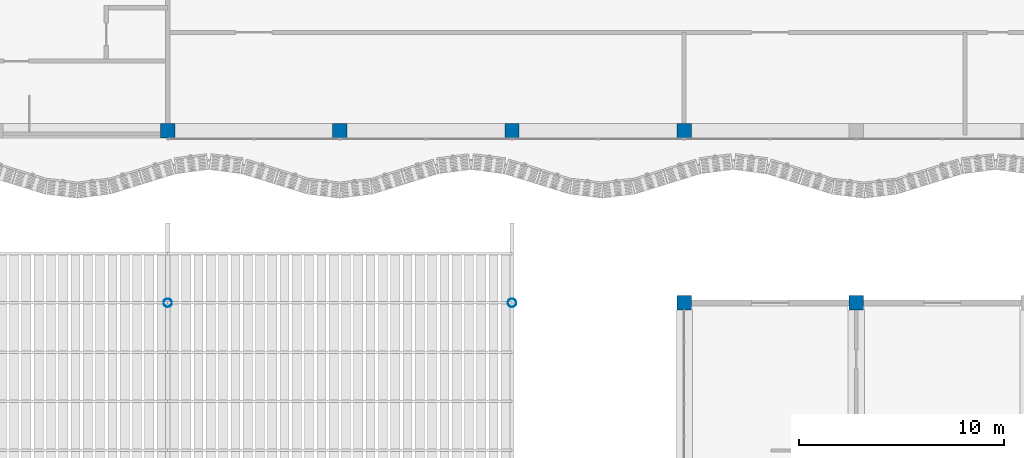
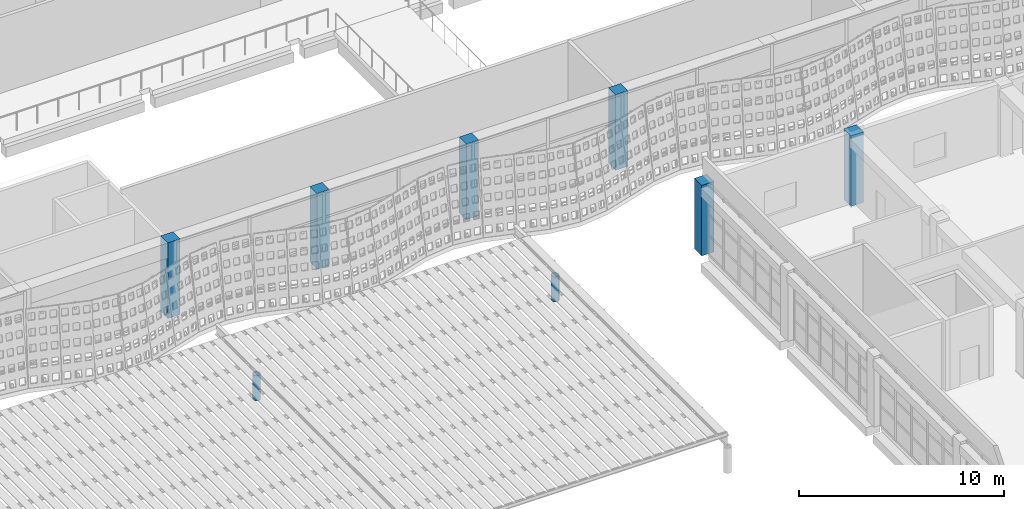
# One storey, part 12 of 162: 8 columns.
"""IFC4 building model written with IfcOpenShell, lengths in metres."""

from ifc_helpers import new_model, si_unit, direction, frame, origin, origin_2d, place, context, subcontext, project, spatial, rectangle, hollow_circle, extrude, material, material_profile, profile_set, type_object, element, save


model = new_model("IFC4")

# Units and contexts
model_context = context("Model", 3, precision=1e-05, world=origin(), true_north=direction((0.0, 1.0)))
body_context = subcontext(model_context, "Body", "Model", "MODEL_VIEW")
ifc_project = project(units=[si_unit("LENGTHUNIT", "METRE"), si_unit("AREAUNIT", "SQUARE_METRE"), si_unit("VOLUMEUNIT", "CUBIC_METRE"), si_unit("PLANEANGLEUNIT", "RADIAN"), si_unit("MASSUNIT", "GRAM", prefix="KILO")], contexts=[model_context])

# Site, building, storey
site_placement = place(None, origin())
site = spatial("IfcSite", under=ifc_project, at=site_placement, CompositionType="ELEMENT")
building_placement = place(site_placement, origin())
building = spatial("IfcBuilding", under=site, at=building_placement, Name="Rain Tree Exposition and Congress Centre", CompositionType="ELEMENT")
storey_placement = place(building_placement, frame((0.0, 0.0, 6.0)))
storey = spatial("IfcBuildingStorey", under=building, at=storey_placement, Name="L01", CompositionType="ELEMENT", Elevation=6.0)

# Columns
ifc_material_1 = material(Name="Precast concrete C50/60", Category="concrete")
ifc_material_profile_1 = material_profile(ifc_material_1, rectangle(XDim=0.699951171875, YDim=0.699951171875, at=origin_2d()), Name="RC 700x700")
ifc_profile_set_1 = profile_set([ifc_material_profile_1], Name="Precast concrete C50/60")
column_type_1 = type_object("IfcColumnType", Name="Precast column 700x700", PredefinedType="COLUMN", material=ifc_profile_set_1)
for number, where, z_axis, x_axis, name in (
    (1, (151.199951171875, 67.199951171875, 0.0), (0.0, 0.0, 1.0), (1.0, 0.0, 0.0), "CF151.2-67.2"),
    (2, (159.60009765625, 67.199951171875, 0.0), (0.0, 0.0, 1.0), (1.0, 0.0, 0.0), "CF159.6-67.2"),
):
    element("IfcColumn", number, at=place(storey_placement, frame(where, z_axis=z_axis, x_axis=x_axis)), inside=storey, type_object=column_type_1, Name=name, PredefinedType="COLUMN", context=body_context, shape_type="SweptSolid", body=[
        extrude(rectangle(XDim=0.699951171875, YDim=0.699951171875, at=origin_2d()), origin(), (0.0, 0.0, 1.0), 4.199951171875),
    ])
for number, where, z_axis, x_axis, name in (
    (3, (126.0, 75.60009765625, 0.0), (0.0, 0.0, 1.0), (1.0, 0.0, 0.0), "Concourse column L01 A16"),
    (4, (134.39990234375, 75.60009765625, 0.0), (0.0, 0.0, 1.0), (1.0, 0.0, 0.0), "Concourse column L01 A17"),
    (5, (142.800048828125, 75.60009765625, 0.0), (0.0, 0.0, 1.0), (1.0, 0.0, 0.0), "Concourse column L01 A18"),
    (6, (151.199951171875, 75.60009765625, 0.0), (0.0, 0.0, 1.0), (1.0, 0.0, 0.0), "Concourse column L01 A19"),
):
    element("IfcColumn", number, at=place(storey_placement, frame(where, z_axis=z_axis, x_axis=x_axis)), inside=storey, type_object=column_type_1, Name=name, PredefinedType="COLUMN", context=body_context, shape_type="SweptSolid", body=[
        extrude(rectangle(XDim=0.699951171875, YDim=0.699951171875, at=origin_2d()), origin(), (0.0, 0.0, 1.0), 4.5),
    ])
ifc_material_2 = material(Name="Steel S355J2H", Category="steel")
ifc_material_profile_2 = material_profile(ifc_material_2, hollow_circle(Radius=0.203125, WallThickness=0.009033203125, at=origin_2d()), Name="CHS 406.4x9")
ifc_profile_set_2 = profile_set([ifc_material_profile_2], Name="Steel S355J2H")
column_type_2 = type_object("IfcColumnType", Name="Steel column CHS 406.4x9", PredefinedType="COLUMN", material=ifc_profile_set_2)
for number, where, z_axis, x_axis, name in (
    (7, (126.0, 67.199951171875, 0.0), (0.0, 0.0, 1.0), (1.0, 0.0, 0.0), "Rain tree column 10"),
    (8, (142.800048828125, 67.199951171875, 0.0), (0.0, 0.0, 1.0), (1.0, 0.0, 0.0), "Rain tree column 12"),
):
    element("IfcColumn", number, at=place(storey_placement, frame(where, z_axis=z_axis, x_axis=x_axis)), inside=storey, type_object=column_type_2, Name=name, PredefinedType="COLUMN", context=body_context, shape_type="SweptSolid", body=[
        extrude(hollow_circle(Radius=0.203125, WallThickness=0.009033203125, at=origin_2d()), origin(), (0.0, 0.0, 1.0), 1.5),
    ])

save(model, "model.ifc")
